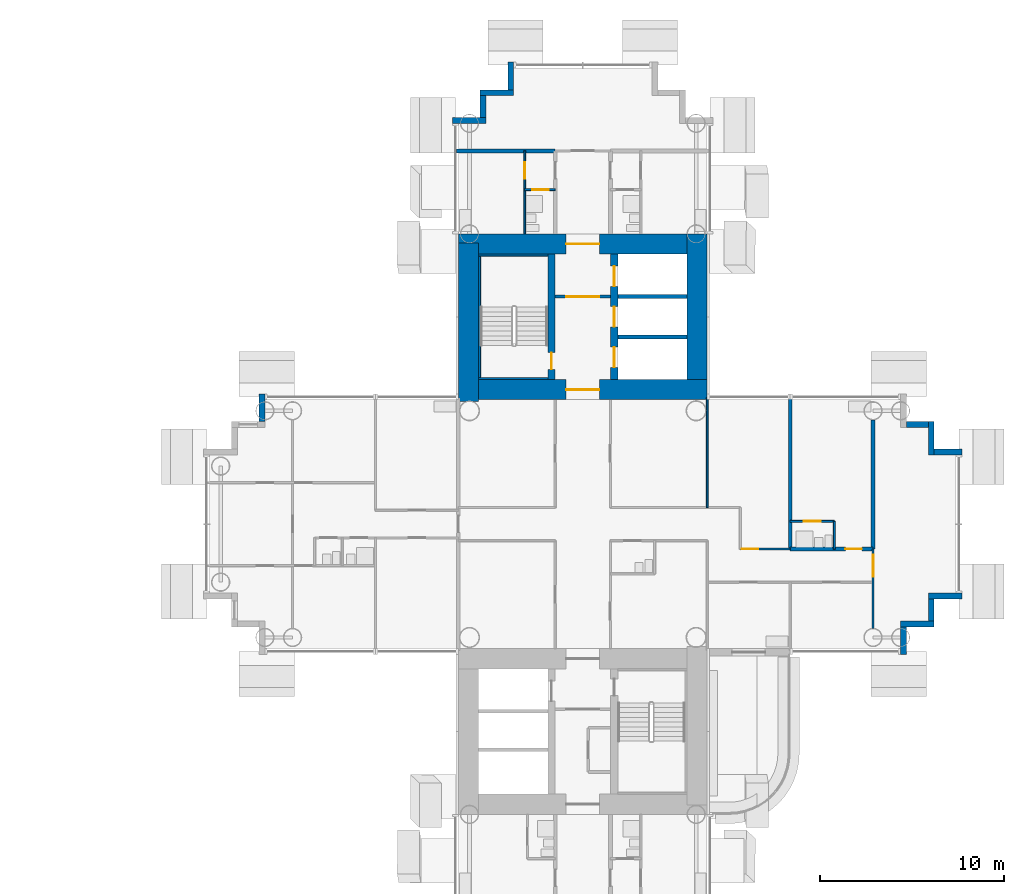
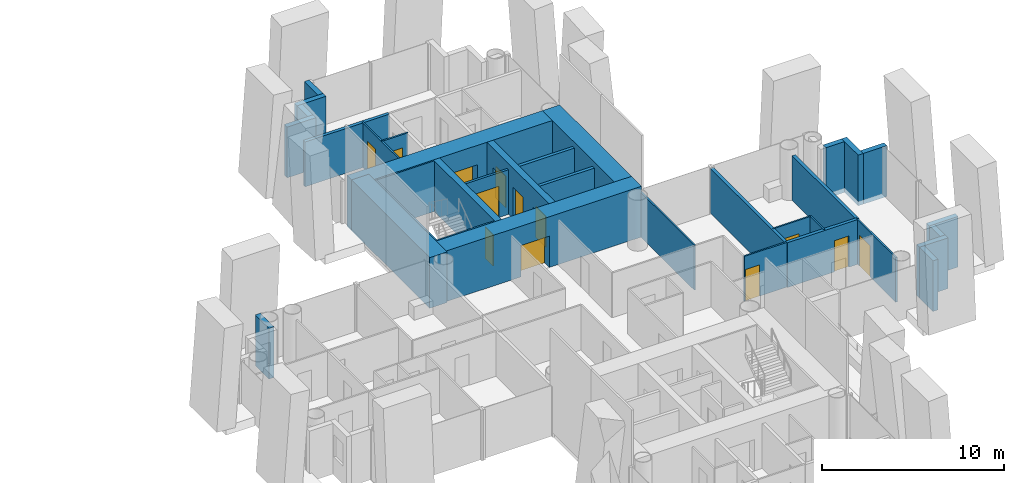
# One storey, part 16 of 25: 35 walls, 13 doors, 13 openings.
"""IFC4 building model written with IfcOpenShell, lengths in metres."""

from ifc_helpers import new_model, si_unit, direction, frame, frame_2d, origin, place, context, subcontext, project, spatial, rectangle, extrude, material, layer, layer_set, type_object, element, fill, save


model = new_model("IFC4")

# Units and contexts
model_context = context("Model", 3, precision=1e-05, world=origin(), true_north=direction((0.0, 1.0)))
body_context = subcontext(model_context, "Body", "Model", "MODEL_VIEW")
ifc_project = project(units=[si_unit("LENGTHUNIT", "METRE"), si_unit("AREAUNIT", "SQUARE_METRE"), si_unit("VOLUMEUNIT", "CUBIC_METRE"), si_unit("PLANEANGLEUNIT", "RADIAN"), si_unit("MASSUNIT", "GRAM", prefix="KILO")], contexts=[model_context])

# Site, building, storey
site_placement = place(None, origin())
site = spatial("IfcSite", under=ifc_project, at=site_placement, CompositionType="ELEMENT")
building_placement = place(site_placement, origin())
building = spatial("IfcBuilding", under=site, at=building_placement, Name="Ipe Terrace Towers", CompositionType="ELEMENT")
storey_placement = place(building_placement, frame((0.0, 0.0, 31.300048828125)))
storey = spatial("IfcBuildingStorey", under=building, at=storey_placement, Name="L07", CompositionType="ELEMENT", Elevation=31.300048828125)

# Walls
ifc_material_1 = material(Name="Concrete C40/50 with buff precast cladding", Category="concrete")
ifc_layer_1 = layer(ifc_material_1, 0.320068359375)
ifc_layer_set_1 = layer_set([ifc_layer_1], Name="BUFF CLADDING WALL 320")
wall_type_1 = type_object("IfcWallType", Name="BUFF CLADDING WALL 320", PredefinedType="STANDARD", material=ifc_layer_set_1)
wall_1_placement = place(storey_placement, frame((53.409912109375, -7.070068359375, -0.300048828125), z_axis=(0.0, 0.0, 1.0), x_axis=(0.0, 1.0, 0.0)))
element("IfcWall", 1, at=wall_1_placement, inside=storey, type_object=wall_type_1, Name="T2-W-L07-08a wall", PredefinedType="STANDARD", context=body_context, shape_type="SweptSolid", body=[
    extrude(rectangle(XDim=1.5, YDim=0.320068359375, at=frame_2d((0.75, 0.0))), origin(), (0.0, 0.0, 1.0), 3.39990234375),
])
wall_2_placement = place(storey_placement, frame((53.25, -5.409912109375, -0.300048828125), z_axis=(0.0, 0.0, 1.0), x_axis=(1.0, 0.0, 0.0)))
element("IfcWall", 2, at=wall_2_placement, inside=storey, type_object=wall_type_1, Name="T2-W-L07-09a wall", PredefinedType="STANDARD", context=body_context, shape_type="SweptSolid", body=[
    extrude(rectangle(XDim=1.820068359375, YDim=0.320068359375, at=frame_2d((0.91015625, 0.0))), origin(), (0.0, 0.0, 1.0), 3.39990234375),
])
wall_3_placement = place(storey_placement, frame((54.909912109375, -5.25, -0.300048828125), z_axis=(0.0, 0.0, 1.0), x_axis=(0.0, 1.0, 0.0)))
element("IfcWall", 3, at=wall_3_placement, inside=storey, type_object=wall_type_1, Name="T2-W-L07-10a wall", PredefinedType="STANDARD", context=body_context, shape_type="SweptSolid", body=[
    extrude(rectangle(XDim=1.179931640625, YDim=0.320068359375, at=frame_2d((0.58984375, 0.0))), origin(), (0.0, 0.0, 1.0), 3.39990234375),
])
wall_4_placement = place(storey_placement, frame((54.75, -3.909912109375, -0.300048828125), z_axis=(0.0, 0.0, 1.0), x_axis=(1.0, 0.0, 0.0)))
element("IfcWall", 4, at=wall_4_placement, inside=storey, type_object=wall_type_1, Name="T2-W-L07-11a wall", PredefinedType="STANDARD", context=body_context, shape_type="SweptSolid", body=[
    extrude(rectangle(XDim=1.820068359375, YDim=0.320068359375, at=frame_2d((0.91015625, 0.0))), origin(), (0.0, 0.0, 1.0), 3.39990234375),
])
wall_5_placement = place(storey_placement, frame((56.570068359375, 3.909912109375, -0.300048828125), z_axis=(0.0, 0.0, 1.0), x_axis=(-1.0, 0.0, 0.0)))
element("IfcWall", 5, at=wall_5_placement, inside=storey, type_object=wall_type_1, Name="T2-W-L07-13a wall", PredefinedType="STANDARD", context=body_context, shape_type="SweptSolid", body=[
    extrude(rectangle(XDim=1.5, YDim=0.320068359375, at=frame_2d((0.75, 0.0))), origin(), (0.0, 0.0, 1.0), 3.39990234375),
])
wall_6_placement = place(storey_placement, frame((54.909912109375, 3.75, -0.300048828125), z_axis=(0.0, 0.0, 1.0), x_axis=(0.0, 1.0, 0.0)))
element("IfcWall", 6, at=wall_6_placement, inside=storey, type_object=wall_type_1, Name="T2-W-L07-14a wall", PredefinedType="STANDARD", context=body_context, shape_type="SweptSolid", body=[
    extrude(rectangle(XDim=1.820068359375, YDim=0.320068359375, at=frame_2d((0.91015625, 0.0))), origin(), (0.0, 0.0, 1.0), 3.39990234375),
])
wall_7_placement = place(storey_placement, frame((54.75, 5.409912109375, -0.300048828125), z_axis=(0.0, 0.0, 1.0), x_axis=(-1.0, 0.0, 0.0)))
element("IfcWall", 7, at=wall_7_placement, inside=storey, type_object=wall_type_1, Name="T2-W-L07-15a wall", PredefinedType="STANDARD", context=body_context, shape_type="SweptSolid", body=[
    extrude(rectangle(XDim=1.179931640625, YDim=0.320068359375, at=frame_2d((0.58984375, 0.0))), origin(), (0.0, 0.0, 1.0), 3.39990234375),
])
wall_8_placement = place(storey_placement, frame((32.090087890625, 25.070068359375, -0.300048828125), z_axis=(0.0, 0.0, 1.0), x_axis=(0.0, -1.0, 0.0)))
element("IfcWall", 8, at=wall_8_placement, inside=storey, type_object=wall_type_1, Name="T2-W-L07-26a wall", PredefinedType="STANDARD", context=body_context, shape_type="SweptSolid", body=[
    extrude(rectangle(XDim=1.5, YDim=0.320068359375, at=frame_2d((0.75, 0.0))), origin(), (0.0, 0.0, 1.0), 3.39990234375),
])
wall_9_placement = place(storey_placement, frame((32.25, 23.409912109375, -0.300048828125), z_axis=(0.0, 0.0, 1.0), x_axis=(-1.0, 0.0, 0.0)))
element("IfcWall", 9, at=wall_9_placement, inside=storey, type_object=wall_type_1, Name="T2-W-L07-27a wall", PredefinedType="STANDARD", context=body_context, shape_type="SweptSolid", body=[
    extrude(rectangle(XDim=1.820068359375, YDim=0.320068359375, at=frame_2d((0.91015625, 0.0))), origin(), (0.0, 0.0, 1.0), 3.39990234375),
])
wall_10_placement = place(storey_placement, frame((30.590087890625, 23.25, -0.300048828125), z_axis=(0.0, 0.0, 1.0), x_axis=(0.0, -1.0, 0.0)))
element("IfcWall", 10, at=wall_10_placement, inside=storey, type_object=wall_type_1, Name="T2-W-L07-28a wall", PredefinedType="STANDARD", context=body_context, shape_type="SweptSolid", body=[
    extrude(rectangle(XDim=1.179931640625, YDim=0.320068359375, at=frame_2d((0.58984375, 0.0))), origin(), (0.0, 0.0, 1.0), 3.39990234375),
])
wall_11_placement = place(storey_placement, frame((30.75, 21.909912109375, -0.300048828125), z_axis=(0.0, 0.0, 1.0), x_axis=(-1.0, 0.0, 0.0)))
element("IfcWall", 11, at=wall_11_placement, inside=storey, type_object=wall_type_1, Name="T2-W-L07-29a wall", PredefinedType="STANDARD", context=body_context, shape_type="SweptSolid", body=[
    extrude(rectangle(XDim=1.820068359375, YDim=0.320068359375, at=frame_2d((0.91015625, 0.0))), origin(), (0.0, 0.0, 1.0), 3.39990234375),
])
wall_12_placement = place(storey_placement, frame((18.590087890625, 7.070068359375, -0.300048828125), z_axis=(0.0, 0.0, 1.0), x_axis=(0.0, -1.0, 0.0)))
element("IfcWall", 12, at=wall_12_placement, inside=storey, type_object=wall_type_1, Name="T2-W-L07-34a wall", PredefinedType="STANDARD", context=body_context, shape_type="SweptSolid", body=[
    extrude(rectangle(XDim=1.5, YDim=0.320068359375, at=frame_2d((0.75, 0.0))), origin(), (0.0, 0.0, 1.0), 3.39990234375),
])

# Wall, opening, door
ifc_material_2 = material(Name="Gypsum board partition", Category="plasterboard")
ifc_layer_2 = layer(ifc_material_2, 0.10009765625)
ifc_layer_set_2 = layer_set([ifc_layer_2], Name="Gypsum board partition 100 mm")
wall_type_2 = type_object("IfcWallType", Name="Gypsum board partition 100 mm", PredefinedType="PARTITIONING", material=ifc_layer_set_2)
wall_13_placement = place(storey_placement, frame((47.25, -1.35009765625, 0.0), z_axis=(0.0, 0.0, 1.0), x_axis=(-1.0, 0.0, 0.0)))
wall_13 = element("IfcWall", 13, at=wall_13_placement, inside=storey, type_object=wall_type_2, Name="Gypsum board partition T2 L07 W09", PredefinedType="PARTITIONING", context=body_context, shape_type="SweptSolid", body=[
    extrude(rectangle(XDim=2.699951171875, YDim=0.10009765625, at=frame_2d((1.35009765625, 0.0))), origin(), (0.0, 0.0, 1.0), 3.0),
])
opening_1_placement = place(wall_13_placement, frame((1.72998046875, 0.0, 0.0)))
opening_1 = element("IfcOpeningElement", 14, at=opening_1_placement, cuts=wall_13, Name="Opening T2-Z1A-16", PredefinedType="OPENING", context=body_context, shape_type="SweptSolid", body=[
    extrude(rectangle(XDim=0.89990234375, YDim=2.10009765625, at=frame_2d((0.449951171875, 1.050048828125))), frame((0.0, 0.06005859375, 0.0), z_axis=(0.0, -1.0, 0.0), x_axis=(1.0, 0.0, 0.0)), (0.0, 0.0, 1.0), 0.1201171875),
])
ifc_material_3 = material(Name="Timber door leaf", Category="wood")
door_type_1 = type_object("IfcDoorType", Name="Lounge door 900 x 2100", OperationType="NOTDEFINED", PredefinedType="DOOR", material=ifc_material_3)
door_1_placement = place(opening_1_placement, origin())
door_1 = element("IfcDoor", 15, at=door_1_placement, inside=storey, type_object=door_type_1, Name="Lounge door T2-Z1A-16", OperationType="SINGLE_SWING_RIGHT", OverallHeight=2.10009765625, OverallWidth=0.89990234375, PredefinedType="DOOR", context=body_context, shape_type="SweptSolid", body=[
    extrude(rectangle(XDim=0.89990234375, YDim=2.10009765625, at=frame_2d((0.449951171875, 1.050048828125))), frame((0.0, 0.02490234375, 0.0), z_axis=(0.0, -1.0, 0.0), x_axis=(1.0, 0.0, 0.0)), (0.0, 0.0, 1.0), 0.050048828125),
])
fill(opening_1, door_1)

wall_14_placement = place(storey_placement, frame((49.64990234375, 0.14990234375, 0.0), z_axis=(0.0, 0.0, 1.0), x_axis=(-1.0, 0.0, 0.0)))
wall_14 = element("IfcWall", 16, at=wall_14_placement, inside=storey, type_object=wall_type_2, Name="Gypsum board partition T2 L07 W14", PredefinedType="PARTITIONING", context=body_context, shape_type="SweptSolid", body=[
    extrude(rectangle(XDim=2.39990234375, YDim=0.10009765625, at=frame_2d((1.199951171875, 0.0))), origin(), (0.0, 0.0, 1.0), 3.0),
])
opening_2_placement = place(wall_14_placement, frame((0.75, 0.0, 0.0)))
opening_2 = element("IfcOpeningElement", 17, at=opening_2_placement, cuts=wall_14, Name="Opening T2-Z1A-18", PredefinedType="OPENING", context=body_context, shape_type="SweptSolid", body=[
    extrude(rectangle(XDim=0.89990234375, YDim=2.10009765625, at=frame_2d((0.449951171875, 1.050048828125))), frame((0.0, 0.06005859375, 0.0), z_axis=(0.0, -1.0, 0.0), x_axis=(1.0, 0.0, 0.0)), (0.0, 0.0, 1.0), 0.1201171875),
])
ifc_material_4 = material(Name="Timber door leaf", Category="wood")
door_type_2 = type_object("IfcDoorType", Name="Bathroom door 900 x 2100", OperationType="NOTDEFINED", PredefinedType="DOOR", material=ifc_material_4)
door_2_placement = place(opening_2_placement, origin())
door_2 = element("IfcDoor", 18, at=door_2_placement, inside=storey, type_object=door_type_2, Name="Bathroom door T2-Z1A-18", OperationType="SINGLE_SWING_LEFT", OverallHeight=2.10009765625, OverallWidth=0.89990234375, PredefinedType="DOOR", context=body_context, shape_type="SweptSolid", body=[
    extrude(rectangle(XDim=0.89990234375, YDim=2.10009765625, at=frame_2d((0.449951171875, 1.050048828125))), frame((0.0, 0.02490234375, 0.0), z_axis=(0.0, -1.0, 0.0), x_axis=(1.0, 0.0, 0.0)), (0.0, 0.0, 1.0), 0.050048828125),
])
fill(opening_2, door_2)

wall_15_placement = place(storey_placement, frame((34.5, 18.14990234375, 0.0), z_axis=(0.0, 0.0, 1.0), x_axis=(-1.0, 0.0, 0.0)))
wall_15 = element("IfcWall", 19, at=wall_15_placement, inside=storey, type_object=wall_type_2, Name="Gypsum board partition T2 L07 W20", PredefinedType="PARTITIONING", context=body_context, shape_type="SweptSolid", body=[
    extrude(rectangle(XDim=1.64990234375, YDim=0.10009765625, at=frame_2d((0.824951171875, 0.0))), origin(), (0.0, 0.0, 1.0), 3.0),
])
opening_3_placement = place(wall_15_placement, frame((0.35009765625, 0.0, 0.0)))
opening_3 = element("IfcOpeningElement", 20, at=opening_3_placement, cuts=wall_15, Name="Opening T2-Z1A-24", PredefinedType="OPENING", context=body_context, shape_type="SweptSolid", body=[
    extrude(rectangle(XDim=0.89990234375, YDim=2.10009765625, at=frame_2d((0.449951171875, 1.050048828125))), frame((0.0, 0.06005859375, 0.0), z_axis=(0.0, -1.0, 0.0), x_axis=(1.0, 0.0, 0.0)), (0.0, 0.0, 1.0), 0.1201171875),
])
door_3_placement = place(opening_3_placement, origin())
door_3 = element("IfcDoor", 21, at=door_3_placement, inside=storey, type_object=door_type_2, Name="Bathroom door T2-Z1A-24", OperationType="SINGLE_SWING_RIGHT", OverallHeight=2.10009765625, OverallWidth=0.89990234375, PredefinedType="DOOR", context=body_context, shape_type="SweptSolid", body=[
    extrude(rectangle(XDim=0.89990234375, YDim=2.10009765625, at=frame_2d((0.449951171875, 1.050048828125))), frame((0.0, 0.02490234375, 0.0), z_axis=(0.0, -1.0, 0.0), x_axis=(1.0, 0.0, 0.0)), (0.0, 0.0, 1.0), 0.050048828125),
])
fill(opening_3, door_3)

wall_16_placement = place(storey_placement, frame((51.75, -5.64990234375, 0.0), z_axis=(0.0, 0.0, 1.0), x_axis=(0.0, 1.0, 0.0)))
wall_16 = element("IfcWall", 22, at=wall_16_placement, inside=storey, type_object=wall_type_2, Name="Gypsum board partition T2 L07 W24", PredefinedType="PARTITIONING", context=body_context, shape_type="SweptSolid", body=[
    extrude(rectangle(XDim=4.2998046875, YDim=0.10009765625, at=frame_2d((2.14990234375, 0.0))), origin(), (0.0, 0.0, 1.0), 3.0),
])
opening_4_placement = place(wall_16_placement, frame((2.800048828125, 0.0, 0.0)))
opening_4 = element("IfcOpeningElement", 23, at=opening_4_placement, cuts=wall_16, Name="Opening T2-Z1A-21", PredefinedType="OPENING", context=body_context, shape_type="SweptSolid", body=[
    extrude(rectangle(XDim=1.199951171875, YDim=2.10009765625, at=frame_2d((0.60009765625, 1.050048828125))), frame((0.0, 0.06005859375, 0.0), z_axis=(0.0, -1.0, 0.0), x_axis=(1.0, 0.0, 0.0)), (0.0, 0.0, 1.0), 0.1201171875),
])
ifc_material_5 = material(Name="Timber door leaf", Category="wood")
door_type_3 = type_object("IfcDoorType", Name="Lounge door 1200 x 2100", OperationType="NOTDEFINED", PredefinedType="DOOR", material=ifc_material_5)
door_4_placement = place(opening_4_placement, origin())
door_4 = element("IfcDoor", 24, at=door_4_placement, inside=storey, type_object=door_type_3, Name="Lounge door T2-Z1A-21", OperationType="SINGLE_SWING_RIGHT", OverallHeight=2.10009765625, OverallWidth=1.199951171875, PredefinedType="DOOR", context=body_context, shape_type="SweptSolid", body=[
    extrude(rectangle(XDim=1.199951171875, YDim=2.10009765625, at=frame_2d((0.60009765625, 1.050048828125))), frame((0.0, 0.02490234375, 0.0), z_axis=(0.0, -1.0, 0.0), x_axis=(1.0, 0.0, 0.0)), (0.0, 0.0, 1.0), 0.050048828125),
])
fill(opening_4, door_4)

# Walls
wall_17_placement = place(storey_placement, frame((49.64990234375, -1.35009765625, 0.0), z_axis=(0.0, 0.0, 1.0), x_axis=(0.0, 1.0, 0.0)))
element("IfcWall", 25, at=wall_17_placement, inside=storey, type_object=wall_type_2, Name="Gypsum board partition T2 L07 W26", PredefinedType="PARTITIONING", context=body_context, shape_type="SweptSolid", body=[
    extrude(rectangle(XDim=1.5, YDim=0.10009765625, at=frame_2d((0.75, 0.0))), origin(), (0.0, 0.0, 1.0), 3.0),
])
wall_18_placement = place(storey_placement, frame((42.75, 0.89990234375, 0.0), z_axis=(0.0, 0.0, 1.0), x_axis=(0.0, 1.0, 0.0)))
element("IfcWall", 26, at=wall_18_placement, inside=storey, type_object=wall_type_2, Name="Gypsum board partition T2 L07 W31", PredefinedType="PARTITIONING", context=body_context, shape_type="SweptSolid", body=[
    extrude(rectangle(XDim=5.9501953125, YDim=0.10009765625, at=frame_2d((2.97509765625, 0.0))), origin(), (0.0, 0.0, 1.0), 3.0),
])

# Wall, opening, door
wall_19_placement = place(storey_placement, frame((32.85009765625, 15.75, 0.0), z_axis=(0.0, 0.0, 1.0), x_axis=(0.0, 1.0, 0.0)))
wall_19 = element("IfcWall", 27, at=wall_19_placement, inside=storey, type_object=wall_type_2, Name="Gypsum board partition T2 L07 W44", PredefinedType="PARTITIONING", context=body_context, shape_type="SweptSolid", body=[
    extrude(rectangle(XDim=4.5, YDim=0.10009765625, at=frame_2d((2.25, 0.0))), origin(), (0.0, 0.0, 1.0), 3.0),
])
opening_5_placement = place(wall_19_placement, frame((3.0, 0.0, 0.0)))
opening_5 = element("IfcOpeningElement", 28, at=opening_5_placement, cuts=wall_19, Name="Opening T2-Z1A-23", PredefinedType="OPENING", context=body_context, shape_type="SweptSolid", body=[
    extrude(rectangle(XDim=0.89990234375, YDim=2.10009765625, at=frame_2d((0.449951171875, 1.050048828125))), frame((0.0, 0.06005859375, 0.0), z_axis=(0.0, -1.0, 0.0), x_axis=(1.0, 0.0, 0.0)), (0.0, 0.0, 1.0), 0.1201171875),
])
ifc_material_6 = material(Name="Timber door leaf", Category="wood")
door_type_4 = type_object("IfcDoorType", Name="Bedroom door 900 x 2100", OperationType="NOTDEFINED", PredefinedType="DOOR", material=ifc_material_6)
door_5_placement = place(opening_5_placement, origin())
door_5 = element("IfcDoor", 29, at=door_5_placement, inside=storey, type_object=door_type_4, Name="Bedroom door T2-Z1A-23", OperationType="SINGLE_SWING_LEFT", OverallHeight=2.10009765625, OverallWidth=0.89990234375, PredefinedType="DOOR", context=body_context, shape_type="SweptSolid", body=[
    extrude(rectangle(XDim=0.89990234375, YDim=2.10009765625, at=frame_2d((0.449951171875, 1.050048828125))), frame((0.0, 0.02490234375, 0.0), z_axis=(0.0, -1.0, 0.0), x_axis=(1.0, 0.0, 0.0)), (0.0, 0.0, 1.0), 0.050048828125),
])
fill(opening_5, door_5)

ifc_material_7 = material(Name="Gypsum board partition", Category="plasterboard")
ifc_layer_3 = layer(ifc_material_7, 0.14990234375)
ifc_layer_set_3 = layer_set([ifc_layer_3], Name="Gypsum board partition 150 mm")
wall_type_3 = type_object("IfcWallType", Name="Gypsum board partition 150 mm", PredefinedType="PARTITIONING", material=ifc_layer_set_3)
wall_20_placement = place(storey_placement, frame((37.5, 12.35009765625, 0.0), z_axis=(0.0, 0.0, 1.0), x_axis=(-1.0, 0.0, 0.0)))
wall_20 = element("IfcWall", 30, at=wall_20_placement, inside=storey, type_object=wall_type_3, Name="Gypsum board partition T2 L07 t2c1-lobby-wall", PredefinedType="PARTITIONING", context=body_context, shape_type="SweptSolid", body=[
    extrude(rectangle(XDim=3.0, YDim=0.14990234375, at=frame_2d((1.5, 0.0))), origin(), (0.0, 0.0, 1.0), 3.0),
])
opening_6_placement = place(wall_20_placement, frame((0.60009765625, 0.0, 0.0)))
opening_6 = element("IfcOpeningElement", 31, at=opening_6_placement, cuts=wall_20, Name="Opening T2C1-VD", PredefinedType="OPENING", context=body_context, shape_type="SweptSolid", body=[
    extrude(rectangle(XDim=1.800048828125, YDim=2.10009765625, at=frame_2d((0.89990234375, 1.050048828125))), frame((0.0, 0.0849609375, 0.0), z_axis=(0.0, -1.0, 0.0), x_axis=(1.0, 0.0, 0.0)), (0.0, 0.0, 1.0), 0.169921875),
])
ifc_material_8 = material(Name="Fire-rated timber door leaf", Category="wood")
door_type_5 = type_object("IfcDoorType", Name="Lobby door 1800 x 2100 FD60", OperationType="NOTDEFINED", PredefinedType="DOOR", material=ifc_material_8)
door_6_placement = place(opening_6_placement, origin())
door_6 = element("IfcDoor", 32, at=door_6_placement, inside=storey, type_object=door_type_5, Name="Lobby door T2C1-VD", OperationType="SINGLE_SWING_LEFT", OverallHeight=2.10009765625, OverallWidth=1.800048828125, PredefinedType="DOOR", context=body_context, shape_type="SweptSolid", body=[
    extrude(rectangle(XDim=1.800048828125, YDim=2.10009765625, at=frame_2d((0.89990234375, 1.050048828125))), frame((0.0, 0.02490234375, 0.0), z_axis=(0.0, -1.0, 0.0), x_axis=(1.0, 0.0, 0.0)), (0.0, 0.0, 1.0), 0.050048828125),
])
fill(opening_6, door_6)

# Walls
ifc_material_9 = material(Name="Gypsum board party wall", Category="plasterboard")
ifc_layer_4 = layer(ifc_material_9, 0.199951171875)
ifc_layer_set_4 = layer_set([ifc_layer_4], Name="Gypsum board party wall 200 mm")
wall_type_4 = type_object("IfcWallType", Name="Gypsum board party wall 200 mm", PredefinedType="SOLIDWALL", material=ifc_layer_set_4)
for number, where, z_axis, x_axis, name in (
    (33, (41.64990234375, 10.14990234375, 0.0), (0.0, 0.0, 1.0), (-1.0, 0.0, 0.0), "Gypsum board party wall T2 L07 t2c1-shaft-div1"),
    (34, (41.64990234375, 12.35009765625, 0.0), (0.0, 0.0, 1.0), (-1.0, 0.0, 0.0), "Gypsum board party wall T2 L07 t2c1-shaft-div2"),
):
    element("IfcWall", number, at=place(storey_placement, frame(where, z_axis=z_axis, x_axis=x_axis)), inside=storey, type_object=wall_type_4, Name=name, PredefinedType="SOLIDWALL", context=body_context, shape_type="SweptSolid", body=[
        extrude(rectangle(XDim=3.75, YDim=0.199951171875, at=frame_2d((1.875, 0.0))), origin(), (0.0, 0.0, 1.0), 3.0),
    ])

# Wall, opening, door
wall_21_placement = place(storey_placement, frame((51.75, -1.35009765625, 0.0), z_axis=(0.0, 0.0, 1.0), x_axis=(-1.0, 0.0, 0.0)))
wall_21 = element("IfcWall", 35, at=wall_21_placement, inside=storey, type_object=wall_type_4, Name="Gypsum board party wall T2 L07 W10", PredefinedType="SOLIDWALL", context=body_context, shape_type="SweptSolid", body=[
    extrude(rectangle(XDim=4.5, YDim=0.199951171875, at=frame_2d((2.25, 0.0))), origin(), (0.0, 0.0, 1.0), 3.0),
])
opening_7_placement = place(wall_21_placement, frame((0.60009765625, 0.0, 0.0)))
opening_7 = element("IfcOpeningElement", 36, at=opening_7_placement, cuts=wall_21, Name="Opening T2-Z1A-17", PredefinedType="OPENING", context=body_context, shape_type="SweptSolid", body=[
    extrude(rectangle(XDim=0.89990234375, YDim=2.10009765625, at=frame_2d((0.449951171875, 1.050048828125))), frame((0.0, 0.10986328125, 0.0), z_axis=(0.0, -1.0, 0.0), x_axis=(1.0, 0.0, 0.0)), (0.0, 0.0, 1.0), 0.219970703125),
])
ifc_material_10 = material(Name="Fire-rated timber door leaf", Category="wood")
door_type_6 = type_object("IfcDoorType", Name="Flat entrance door 900 x 2100 FD30S", OperationType="NOTDEFINED", PredefinedType="DOOR", material=ifc_material_10)
door_7_placement = place(opening_7_placement, origin())
door_7 = element("IfcDoor", 37, at=door_7_placement, inside=storey, type_object=door_type_6, Name="Flat entrance door T2-Z1A-17", OperationType="SINGLE_SWING_LEFT", OverallHeight=2.10009765625, OverallWidth=0.89990234375, PredefinedType="DOOR", context=body_context, shape_type="SweptSolid", body=[
    extrude(rectangle(XDim=0.89990234375, YDim=2.10009765625, at=frame_2d((0.449951171875, 1.050048828125))), frame((0.0, 0.02490234375, 0.0), z_axis=(0.0, -1.0, 0.0), x_axis=(1.0, 0.0, 0.0)), (0.0, 0.0, 1.0), 0.050048828125),
])
fill(opening_7, door_7)

# Walls
wall_22_placement = place(storey_placement, frame((34.5, 20.25, 0.0), z_axis=(0.0, 0.0, 1.0), x_axis=(-1.0, 0.0, 0.0)))
element("IfcWall", 38, at=wall_22_placement, inside=storey, type_object=wall_type_4, Name="Gypsum board party wall T2 L07 W23", PredefinedType="SOLIDWALL", context=body_context, shape_type="SweptSolid", body=[
    extrude(rectangle(XDim=5.35009765625, YDim=0.199951171875, at=frame_2d((2.675048828125, 0.0))), origin(), (0.0, 0.0, 1.0), 3.0),
])
wall_23_placement = place(storey_placement, frame((51.75, -1.35009765625, 0.0), z_axis=(0.0, 0.0, 1.0), x_axis=(0.0, 1.0, 0.0)))
element("IfcWall", 39, at=wall_23_placement, inside=storey, type_object=wall_type_4, Name="Gypsum board party wall T2 L07 W25", PredefinedType="SOLIDWALL", context=body_context, shape_type="SweptSolid", body=[
    extrude(rectangle(XDim=7.0, YDim=0.199951171875, at=frame_2d((3.5, 0.0))), origin(), (0.0, 0.0, 1.0), 3.0),
])
wall_24_placement = place(storey_placement, frame((47.25, -1.35009765625, 0.0), z_axis=(0.0, 0.0, 1.0), x_axis=(0.0, 1.0, 0.0)))
element("IfcWall", 40, at=wall_24_placement, inside=storey, type_object=wall_type_4, Name="Gypsum board party wall T2 L07 W28", PredefinedType="SOLIDWALL", context=body_context, shape_type="SweptSolid", body=[
    extrude(rectangle(XDim=8.2001953125, YDim=0.199951171875, at=frame_2d((4.10009765625, 0.0))), origin(), (0.0, 0.0, 1.0), 3.0),
])
ifc_material_11 = material(Name="Concrete C60/75", Category="concrete")
ifc_layer_5 = layer(ifc_material_11, 0.10009765625)
ifc_layer_set_5 = layer_set([ifc_layer_5], Name="RW100 CORE INFILL WALL 100 C60-75")
wall_type_5 = type_object("IfcWallType", Name="RW100 CORE INFILL WALL 100 C60-75", PredefinedType="SHEAR", material=ifc_layer_set_5)
wall_25_placement = place(storey_placement, frame((34.10009765625, 14.60009765625, 0.0), z_axis=(0.0, 0.0, 1.0), x_axis=(-1.0, 0.0, 0.0)))
element("IfcWall", 41, at=wall_25_placement, inside=storey, type_object=wall_type_5, Name="Core infill wall T2-C1-far", PredefinedType="SHEAR", context=body_context, shape_type="SweptSolid", body=[
    extrude(rectangle(XDim=3.75, YDim=0.10009765625, at=frame_2d((1.875, 0.0))), origin(), (0.0, 0.0, 1.0), 3.39990234375),
])
wall_26_placement = place(storey_placement, frame((30.39990234375, 7.949951171875, 0.0), z_axis=(0.0, 0.0, 1.0), x_axis=(0.0, 1.0, 0.0)))
element("IfcWall", 42, at=wall_26_placement, inside=storey, type_object=wall_type_5, Name="Core infill wall T2-C1-back", PredefinedType="SHEAR", context=body_context, shape_type="SweptSolid", body=[
    extrude(rectangle(XDim=6.60009765625, YDim=0.10009765625, at=frame_2d((3.300048828125, 0.0))), origin(), (0.0, 0.0, 1.0), 3.39990234375),
])
wall_27_placement = place(storey_placement, frame((34.10009765625, 7.89990234375, 0.0), z_axis=(0.0, 0.0, 1.0), x_axis=(-1.0, 0.0, 0.0)))
element("IfcWall", 43, at=wall_27_placement, inside=storey, type_object=wall_type_5, Name="Core infill wall T2-C1-near", PredefinedType="SHEAR", context=body_context, shape_type="SweptSolid", body=[
    extrude(rectangle(XDim=3.75, YDim=0.10009765625, at=frame_2d((1.875, 0.0))), origin(), (0.0, 0.0, 1.0), 3.39990234375),
])

# Wall, opening, door
ifc_material_12 = material(Name="Concrete C60/75", Category="concrete")
ifc_layer_6 = layer(ifc_material_12, 1.10009765625)
ifc_layer_set_6 = layer_set([ifc_layer_6], Name="RW1100 CORE WALL 1100 C60-75")
wall_type_6 = type_object("IfcWallType", Name="RW1100 CORE WALL 1100 C60-75", PredefinedType="SHEAR", material=ifc_layer_set_6)
wall_28_placement = place(storey_placement, frame((30.35009765625, 7.300048828125, 0.0), z_axis=(0.0, 0.0, 1.0), x_axis=(1.0, 0.0, 0.0)))
wall_28 = element("IfcWall", 44, at=wall_28_placement, inside=storey, type_object=wall_type_6, Name="Core wall T2-C1-Z1-W01", PredefinedType="SHEAR", context=body_context, shape_type="SweptSolid", body=[
    extrude(rectangle(XDim=12.39990234375, YDim=1.10009765625, at=frame_2d((6.199951171875, 0.0))), origin(), (0.0, 0.0, 1.0), 3.39990234375),
])
opening_8_placement = place(wall_28_placement, frame((4.75, 0.0, 0.0)))
opening_8 = element("IfcOpeningElement", 45, at=opening_8_placement, cuts=wall_28, Name="Opening T2C1-ND", PredefinedType="OPENING", context=body_context, shape_type="SweptSolid", body=[
    extrude(rectangle(XDim=1.800048828125, YDim=2.10009765625, at=frame_2d((0.89990234375, 1.050048828125))), frame((0.0, 0.56005859375, 0.0), z_axis=(0.0, -1.0, 0.0), x_axis=(1.0, 0.0, 0.0)), (0.0, 0.0, 1.0), 1.1201171875),
])
ifc_material_13 = material(Name="Fire-rated timber door leaf", Category="wood")
door_type_7 = type_object("IfcDoorType", Name="Fire door 1800 x 2100 FD30S", OperationType="NOTDEFINED", PredefinedType="DOOR", material=ifc_material_13)
door_8_placement = place(opening_8_placement, origin())
door_8 = element("IfcDoor", 46, at=door_8_placement, inside=storey, type_object=door_type_7, Name="Fire door T2C1-ND", OperationType="SINGLE_SWING_LEFT", OverallHeight=2.10009765625, OverallWidth=1.800048828125, PredefinedType="DOOR", context=body_context, shape_type="SweptSolid", body=[
    extrude(rectangle(XDim=1.800048828125, YDim=2.10009765625, at=frame_2d((0.89990234375, 1.050048828125))), frame((0.0, 0.02490234375, 0.0), z_axis=(0.0, -1.0, 0.0), x_axis=(1.0, 0.0, 0.0)), (0.0, 0.0, 1.0), 0.050048828125),
])
fill(opening_8, door_8)

# Wall
wall_29_placement = place(storey_placement, frame((42.199951171875, 7.85009765625, 0.0), z_axis=(0.0, 0.0, 1.0), x_axis=(0.0, 1.0, 0.0)))
element("IfcWall", 47, at=wall_29_placement, inside=storey, type_object=wall_type_6, Name="Core wall T2-C1-Z1-W02", PredefinedType="SHEAR", context=body_context, shape_type="SweptSolid", body=[
    extrude(rectangle(XDim=7.89990234375, YDim=1.10009765625, at=frame_2d((3.949951171875, 0.0))), origin(), (0.0, 0.0, 1.0), 3.39990234375),
])

# Wall, opening, door
wall_30_placement = place(storey_placement, frame((41.64990234375, 15.199951171875, 0.0), z_axis=(0.0, 0.0, 1.0), x_axis=(-1.0, 0.0, 0.0)))
wall_30 = element("IfcWall", 48, at=wall_30_placement, inside=storey, type_object=wall_type_6, Name="Core wall T2-C1-Z1-W03", PredefinedType="SHEAR", context=body_context, shape_type="SweptSolid", body=[
    extrude(rectangle(XDim=12.39990234375, YDim=1.10009765625, at=frame_2d((6.199951171875, 0.0))), origin(), (0.0, 0.0, 1.0), 3.39990234375),
])
opening_9_placement = place(wall_30_placement, frame((4.75, 0.0, 0.0)))
opening_9 = element("IfcOpeningElement", 49, at=opening_9_placement, cuts=wall_30, Name="Opening T2C1-FD", PredefinedType="OPENING", context=body_context, shape_type="SweptSolid", body=[
    extrude(rectangle(XDim=1.800048828125, YDim=2.10009765625, at=frame_2d((0.89990234375, 1.050048828125))), frame((0.0, 0.56005859375, 0.0), z_axis=(0.0, -1.0, 0.0), x_axis=(1.0, 0.0, 0.0)), (0.0, 0.0, 1.0), 1.1201171875),
])
door_9_placement = place(opening_9_placement, origin())
door_9 = element("IfcDoor", 50, at=door_9_placement, inside=storey, type_object=door_type_7, Name="Fire door T2C1-FD", OperationType="SINGLE_SWING_LEFT", OverallHeight=2.10009765625, OverallWidth=1.800048828125, PredefinedType="DOOR", context=body_context, shape_type="SweptSolid", body=[
    extrude(rectangle(XDim=1.800048828125, YDim=2.10009765625, at=frame_2d((0.89990234375, 1.050048828125))), frame((0.0, 0.02490234375, 0.0), z_axis=(0.0, -1.0, 0.0), x_axis=(1.0, 0.0, 0.0)), (0.0, 0.0, 1.0), 0.050048828125),
])
fill(opening_9, door_9)

# Wall
wall_31_placement = place(storey_placement, frame((29.800048828125, 15.248046875, 0.0), z_axis=(0.0, 0.0, 1.0), x_axis=(0.0, -1.0, 0.0)))
element("IfcWall", 51, at=wall_31_placement, inside=storey, type_object=wall_type_6, Name="Core wall T2-C1-Z1-W04", PredefinedType="SHEAR", context=body_context, shape_type="SweptSolid", body=[
    extrude(rectangle(XDim=8.595947265625, YDim=1.10009765625, at=frame_2d((4.2978515625, 0.0))), origin(), (0.0, 0.0, 1.0), 3.39990234375),
])

# Wall, opening, door
ifc_material_14 = material(Name="Concrete C60/75", Category="concrete")
ifc_layer_7 = layer(ifc_material_14, 0.39990234375)
ifc_layer_set_7 = layer_set([ifc_layer_7], Name="RW400 CORE SPINE WALL 400 C60-75")
wall_type_7 = type_object("IfcWallType", Name="RW400 CORE SPINE WALL 400 C60-75", PredefinedType="SHEAR", material=ifc_layer_set_7)
wall_32_placement = place(storey_placement, frame((34.300048828125, 7.85009765625, 0.0), z_axis=(0.0, 0.0, 1.0), x_axis=(0.0, 1.0, 0.0)))
wall_32 = element("IfcWall", 52, at=wall_32_placement, inside=storey, type_object=wall_type_7, Name="Core spine wall T2-C1-Z1-SW1", PredefinedType="SHEAR", context=body_context, shape_type="SweptSolid", body=[
    extrude(rectangle(XDim=6.7998046875, YDim=0.39990234375, at=frame_2d((3.39990234375, 0.0))), origin(), (0.0, 0.0, 1.0), 3.39990234375),
])
opening_10_placement = place(wall_32_placement, frame((0.550048828125, 0.0, 0.0)))
opening_10 = element("IfcOpeningElement", 53, at=opening_10_placement, cuts=wall_32, Name="Opening T2C1-SD", PredefinedType="OPENING", context=body_context, shape_type="SweptSolid", body=[
    extrude(rectangle(XDim=0.89990234375, YDim=2.10009765625, at=frame_2d((0.449951171875, 1.050048828125))), frame((0.0, 0.2099609375, 0.0), z_axis=(0.0, -1.0, 0.0), x_axis=(1.0, 0.0, 0.0)), (0.0, 0.0, 1.0), 0.419921875),
])
ifc_material_15 = material(Name="Fire-rated timber door leaf", Category="wood")
door_type_8 = type_object("IfcDoorType", Name="Stair door 900 x 2100 FD60", OperationType="NOTDEFINED", PredefinedType="DOOR", material=ifc_material_15)
door_10_placement = place(opening_10_placement, origin())
door_10 = element("IfcDoor", 54, at=door_10_placement, inside=storey, type_object=door_type_8, Name="Stair door T2C1-SD", OperationType="SINGLE_SWING_LEFT", OverallHeight=2.10009765625, OverallWidth=0.89990234375, PredefinedType="DOOR", context=body_context, shape_type="SweptSolid", body=[
    extrude(rectangle(XDim=0.89990234375, YDim=2.10009765625, at=frame_2d((0.449951171875, 1.050048828125))), frame((0.0, 0.02490234375, 0.0), z_axis=(0.0, -1.0, 0.0), x_axis=(1.0, 0.0, 0.0)), (0.0, 0.0, 1.0), 0.050048828125),
])
fill(opening_10, door_10)

# Wall, openings, doors
wall_33_placement = place(storey_placement, frame((37.699951171875, 7.85009765625, 0.0), z_axis=(0.0, 0.0, 1.0), x_axis=(0.0, 1.0, 0.0)))
wall_33 = element("IfcWall", 55, at=wall_33_placement, inside=storey, type_object=wall_type_7, Name="Core spine wall T2-C1-Z1-SW2", PredefinedType="SHEAR", context=body_context, shape_type="SweptSolid", body=[
    extrude(rectangle(XDim=6.7998046875, YDim=0.39990234375, at=frame_2d((3.39990234375, 0.0))), origin(), (0.0, 0.0, 1.0), 3.39990234375),
])
opening_11_placement = place(wall_33_placement, frame((0.64990234375, 0.0, 0.0)))
opening_11 = element("IfcOpeningElement", 56, at=opening_11_placement, cuts=wall_33, Name="Opening T2C1-LD1", PredefinedType="OPENING", context=body_context, shape_type="SweptSolid", body=[
    extrude(rectangle(XDim=1.10009765625, YDim=2.10009765625, at=frame_2d((0.550048828125, 1.050048828125))), frame((0.0, 0.2099609375, 0.0), z_axis=(0.0, -1.0, 0.0), x_axis=(1.0, 0.0, 0.0)), (0.0, 0.0, 1.0), 0.419921875),
])
opening_12_placement = place(wall_33_placement, frame((2.85009765625, 0.0, 0.0)))
opening_12 = element("IfcOpeningElement", 57, at=opening_12_placement, cuts=wall_33, Name="Opening T2C1-LD2", PredefinedType="OPENING", context=body_context, shape_type="SweptSolid", body=[
    extrude(rectangle(XDim=1.10009765625, YDim=2.10009765625, at=frame_2d((0.550048828125, 1.050048828125))), frame((0.0, 0.2099609375, 0.0), z_axis=(0.0, -1.0, 0.0), x_axis=(1.0, 0.0, 0.0)), (0.0, 0.0, 1.0), 0.419921875),
])
opening_13_placement = place(wall_33_placement, frame((5.050048828125, 0.0, 0.0)))
opening_13 = element("IfcOpeningElement", 58, at=opening_13_placement, cuts=wall_33, Name="Opening T2C1-LD3", PredefinedType="OPENING", context=body_context, shape_type="SweptSolid", body=[
    extrude(rectangle(XDim=1.10009765625, YDim=2.10009765625, at=frame_2d((0.550048828125, 1.050048828125))), frame((0.0, 0.2099609375, 0.0), z_axis=(0.0, -1.0, 0.0), x_axis=(1.0, 0.0, 0.0)), (0.0, 0.0, 1.0), 0.419921875),
])
ifc_material_16 = material(Name="Fire-rated timber door leaf", Category="wood")
door_type_9 = type_object("IfcDoorType", Name="Sliding door 1100 x 2100 FD60", OperationType="SLIDING_TO_LEFT", PredefinedType="DOOR", material=ifc_material_16)
door_11_placement = place(opening_11_placement, origin())
door_11 = element("IfcDoor", 59, at=door_11_placement, inside=storey, type_object=door_type_9, Name="Sliding door T2C1-LD1", OperationType="SLIDING_TO_LEFT", OverallHeight=2.10009765625, OverallWidth=1.10009765625, PredefinedType="DOOR", context=body_context, shape_type="SweptSolid", body=[
    extrude(rectangle(XDim=1.10009765625, YDim=2.10009765625, at=frame_2d((0.550048828125, 1.050048828125))), frame((0.0, 0.02490234375, 0.0), z_axis=(0.0, -1.0, 0.0), x_axis=(1.0, 0.0, 0.0)), (0.0, 0.0, 1.0), 0.050048828125),
])
fill(opening_11, door_11)
door_12_placement = place(opening_12_placement, origin())
door_12 = element("IfcDoor", 60, at=door_12_placement, inside=storey, type_object=door_type_9, Name="Sliding door T2C1-LD2", OperationType="SLIDING_TO_LEFT", OverallHeight=2.10009765625, OverallWidth=1.10009765625, PredefinedType="DOOR", context=body_context, shape_type="SweptSolid", body=[
    extrude(rectangle(XDim=1.10009765625, YDim=2.10009765625, at=frame_2d((0.550048828125, 1.050048828125))), frame((0.0, 0.02490234375, 0.0), z_axis=(0.0, -1.0, 0.0), x_axis=(1.0, 0.0, 0.0)), (0.0, 0.0, 1.0), 0.050048828125),
])
fill(opening_12, door_12)
door_13_placement = place(opening_13_placement, origin())
door_13 = element("IfcDoor", 61, at=door_13_placement, inside=storey, type_object=door_type_9, Name="Sliding door T2C1-LD3", OperationType="SLIDING_TO_LEFT", OverallHeight=2.10009765625, OverallWidth=1.10009765625, PredefinedType="DOOR", context=body_context, shape_type="SweptSolid", body=[
    extrude(rectangle(XDim=1.10009765625, YDim=2.10009765625, at=frame_2d((0.550048828125, 1.050048828125))), frame((0.0, 0.02490234375, 0.0), z_axis=(0.0, -1.0, 0.0), x_axis=(1.0, 0.0, 0.0)), (0.0, 0.0, 1.0), 0.050048828125),
])
fill(opening_13, door_13)

save(model, "model.ifc")
